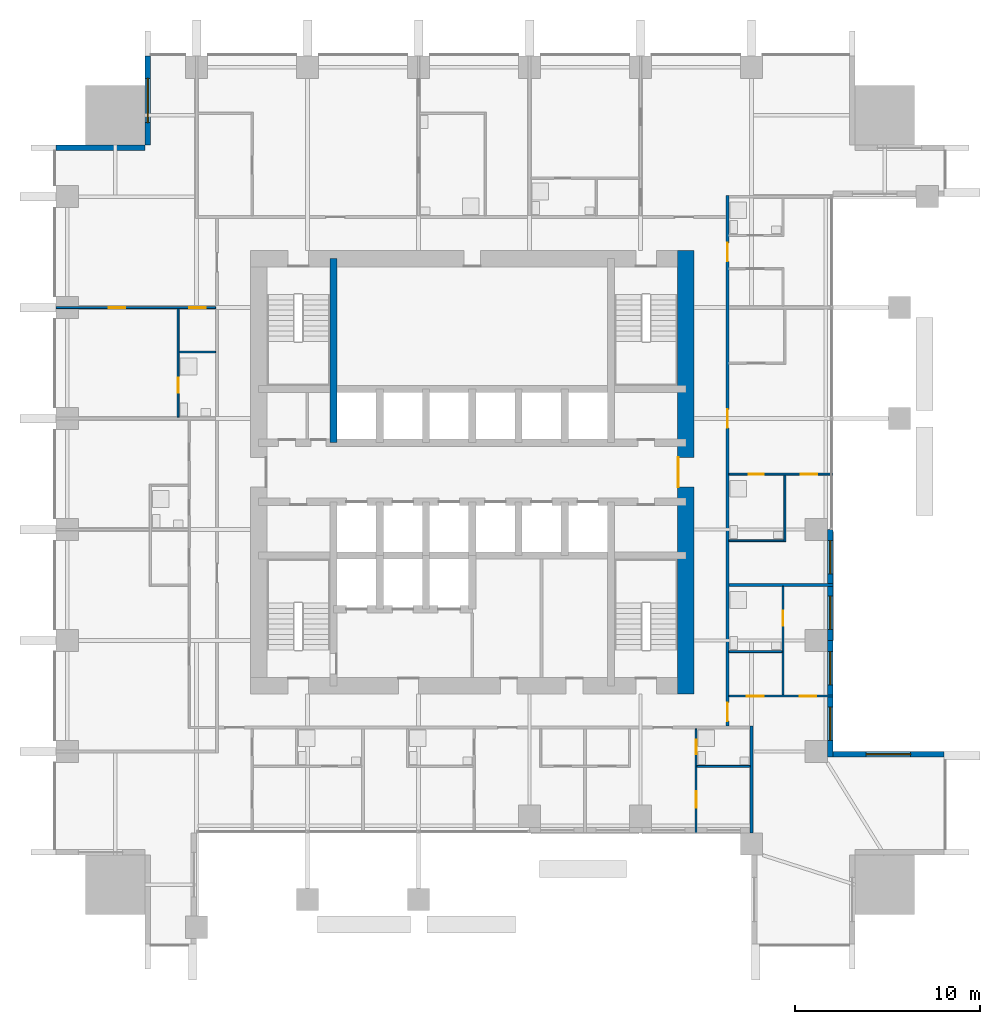
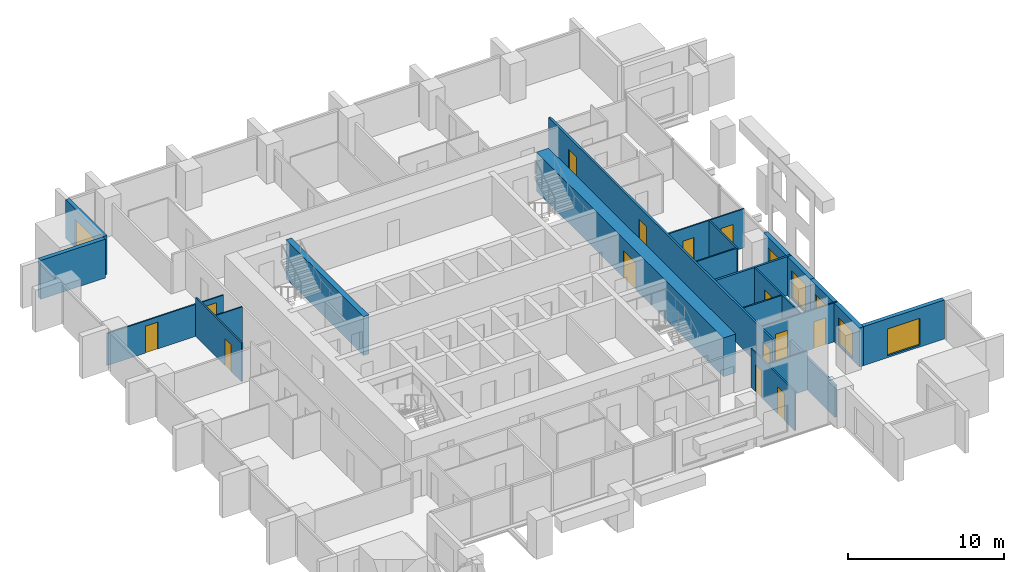
# One storey, part 9 of 13: 21 walls, 14 doors, 6 windows, 20 openings.
"""IFC4 building model written with IfcOpenShell, lengths in metres."""

from ifc_helpers import new_model, si_unit, direction, frame, frame_2d, origin, place, context, subcontext, project, spatial, rectangle, extrude, material, layer, layer_set, type_object, element, fill, save


model = new_model("IFC4")

# Units and contexts
model_context = context("Model", 3, precision=1e-05, world=origin(), true_north=direction((0.0, 1.0)))
body_context = subcontext(model_context, "Body", "Model", "MODEL_VIEW")
ifc_project = project(units=[si_unit("LENGTHUNIT", "METRE"), si_unit("AREAUNIT", "SQUARE_METRE"), si_unit("VOLUMEUNIT", "CUBIC_METRE"), si_unit("PLANEANGLEUNIT", "RADIAN"), si_unit("MASSUNIT", "GRAM", prefix="KILO")], contexts=[model_context])

# Site, building, storey
site_placement = place(None, origin())
site = spatial("IfcSite", under=ifc_project, at=site_placement, CompositionType="ELEMENT")
building_placement = place(site_placement, origin())
building = spatial("IfcBuilding", under=site, at=building_placement, Name="Amberfall Residences", CompositionType="ELEMENT")
storey_placement = place(building_placement, frame((0.0, 0.0, 56.5)))
storey = spatial("IfcBuildingStorey", under=building, at=storey_placement, Name="L15", CompositionType="ELEMENT", Elevation=56.5)

# Wall, opening, window
ifc_material_1 = material(Name="Pale stone cladding on insulated backing", Category="masonry")
ifc_layer_1 = layer(ifc_material_1, 0.300048828125)
ifc_layer_set_1 = layer_set([ifc_layer_1], Name="Bronze clad wall 300")
wall_type_1 = type_object("IfcWallType", Name="Bronze clad wall 300", PredefinedType="SOLIDWALL", material=ifc_layer_set_1)
wall_1_placement = place(storey_placement, frame((100.0, 30.25, 0.0), z_axis=(0.0, 0.0, 1.0), x_axis=(-1.0, 0.0, 0.0)))
wall_1 = element("IfcWall", 1, at=wall_1_placement, inside=storey, type_object=wall_type_1, Name="External wall L15 E", PredefinedType="SOLIDWALL", context=body_context, shape_type="SweptSolid", body=[
    extrude(rectangle(XDim=6.0, YDim=0.300048828125, at=frame_2d((3.0, 0.0))), origin(), (0.0, 0.0, 1.0), 3.050048828125),
])
opening_1_placement = place(wall_1_placement, frame((1.800048828125, 0.0, 0.14990234375)))
opening_1 = element("IfcOpeningElement", 2, at=opening_1_placement, cuts=wall_1, Name="Opening WN5", PredefinedType="OPENING", context=body_context, shape_type="SweptSolid", body=[
    extrude(rectangle(XDim=2.39990234375, YDim=2.10009765625, at=frame_2d((1.199951171875, 1.050048828125))), frame((0.0, 0.159912109375, 0.0), z_axis=(0.0, -1.0, 0.0), x_axis=(1.0, 0.0, 0.0)), (0.0, 0.0, 1.0), 0.320068359375),
])
ifc_material_2 = material(Name="Bronze aluminium framed glazing", Category="aluminium")
window_type_1 = type_object("IfcWindowType", Name="Glazed opening 2400 x 2100 bronze", PartitioningType="DOUBLE_PANEL_VERTICAL", PredefinedType="WINDOW", material=ifc_material_2)
window_1_placement = place(opening_1_placement, origin())
window_1 = element("IfcWindow", 3, at=window_1_placement, inside=storey, type_object=window_type_1, Name="Window L15 E", OverallHeight=2.10009765625, OverallWidth=2.39990234375, PartitioningType="DOUBLE_PANEL_VERTICAL", PredefinedType="WINDOW", context=body_context, shape_type="SweptSolid", body=[
    extrude(rectangle(XDim=2.39990234375, YDim=2.10009765625, at=frame_2d((1.199951171875, 1.050048828125))), frame((0.0, 0.030029296875, 0.0), z_axis=(0.0, -1.0, 0.0), x_axis=(1.0, 0.0, 0.0)), (0.0, 0.0, 1.0), 0.06005859375),
])
fill(opening_1, window_1)

wall_2_placement = place(storey_placement, frame((56.949951171875, 68.0, 0.0), z_axis=(0.0, 0.0, 1.0), x_axis=(0.0, -1.0, 0.0)))
wall_2 = element("IfcWall", 4, at=wall_2_placement, inside=storey, type_object=wall_type_1, Name="External wall L15 NW", PredefinedType="SOLIDWALL", context=body_context, shape_type="SweptSolid", body=[
    extrude(rectangle(XDim=4.800048828125, YDim=0.300048828125, at=frame_2d((2.39990234375, 0.0))), origin(), (0.0, 0.0, 1.0), 3.050048828125),
])
opening_2_placement = place(wall_2_placement, frame((1.199951171875, 0.0, 0.14990234375)))
opening_2 = element("IfcOpeningElement", 5, at=opening_2_placement, cuts=wall_2, Name="Opening WN5", PredefinedType="OPENING", context=body_context, shape_type="SweptSolid", body=[
    extrude(rectangle(XDim=2.39990234375, YDim=2.10009765625, at=frame_2d((1.199951171875, 1.050048828125))), frame((0.0, 0.159912109375, 0.0), z_axis=(0.0, -1.0, 0.0), x_axis=(1.0, 0.0, 0.0)), (0.0, 0.0, 1.0), 0.320068359375),
])
window_2_placement = place(opening_2_placement, origin())
window_2 = element("IfcWindow", 6, at=window_2_placement, inside=storey, type_object=window_type_1, Name="Window L15 NW", OverallHeight=2.10009765625, OverallWidth=2.39990234375, PartitioningType="DOUBLE_PANEL_VERTICAL", PredefinedType="WINDOW", context=body_context, shape_type="SweptSolid", body=[
    extrude(rectangle(XDim=2.39990234375, YDim=2.10009765625, at=frame_2d((1.199951171875, 1.050048828125))), frame((0.0, 0.030029296875, 0.0), z_axis=(0.0, -1.0, 0.0), x_axis=(1.0, 0.0, 0.0)), (0.0, 0.0, 1.0), 0.06005859375),
])
fill(opening_2, window_2)

# Wall
wall_3_placement = place(storey_placement, frame((56.800048828125, 63.050048828125, 0.0), z_axis=(0.0, 0.0, 1.0), x_axis=(-1.0, 0.0, 0.0)))
element("IfcWall", 7, at=wall_3_placement, inside=storey, type_object=wall_type_1, Name="External wall L15 NW", PredefinedType="SOLIDWALL", context=body_context, shape_type="SweptSolid", body=[
    extrude(rectangle(XDim=4.800048828125, YDim=0.300048828125, at=frame_2d((2.39990234375, 0.0))), origin(), (0.0, 0.0, 1.0), 3.050048828125),
])

# Wall, openings, windows
wall_4_placement = place(storey_placement, frame((93.85009765625, 30.10009765625, 0.0), z_axis=(0.0, 0.0, 1.0), x_axis=(0.0, 1.0, 0.0)))
wall_4 = element("IfcWall", 8, at=wall_4_placement, inside=storey, type_object=wall_type_1, Name="Stone wall L15 E", PredefinedType="SOLIDWALL", context=body_context, shape_type="SweptSolid", body=[
    extrude(rectangle(XDim=6.2998046875, YDim=0.300048828125, at=frame_2d((3.14990234375, 0.0))), origin(), (0.0, 0.0, 1.0), 3.050048828125),
])
opening_3_placement = place(wall_4_placement, frame((0.89990234375, 0.0, 0.14990234375)))
opening_3 = element("IfcOpeningElement", 9, at=opening_3_placement, cuts=wall_4, Name="Opening WN6", PredefinedType="OPENING", context=body_context, shape_type="SweptSolid", body=[
    extrude(rectangle(XDim=1.800048828125, YDim=2.10009765625, at=frame_2d((0.89990234375, 1.050048828125))), frame((0.0, 0.159912109375, 0.0), z_axis=(0.0, -1.0, 0.0), x_axis=(1.0, 0.0, 0.0)), (0.0, 0.0, 1.0), 0.320068359375),
])
opening_4_placement = place(wall_4_placement, frame((3.89990234375, 0.0, 0.14990234375)))
opening_4 = element("IfcOpeningElement", 10, at=opening_4_placement, cuts=wall_4, Name="Opening WN6", PredefinedType="OPENING", context=body_context, shape_type="SweptSolid", body=[
    extrude(rectangle(XDim=1.800048828125, YDim=2.10009765625, at=frame_2d((0.89990234375, 1.050048828125))), frame((0.0, 0.159912109375, 0.0), z_axis=(0.0, -1.0, 0.0), x_axis=(1.0, 0.0, 0.0)), (0.0, 0.0, 1.0), 0.320068359375),
])
window_type_2 = type_object("IfcWindowType", Name="Glazed opening 1800 x 2100 bronze", PartitioningType="DOUBLE_PANEL_VERTICAL", PredefinedType="WINDOW", material=ifc_material_2)
window_3_placement = place(opening_3_placement, origin())
window_3 = element("IfcWindow", 11, at=window_3_placement, inside=storey, type_object=window_type_2, Name="Window L15 E", OverallHeight=2.10009765625, OverallWidth=1.800048828125, PartitioningType="DOUBLE_PANEL_VERTICAL", PredefinedType="WINDOW", context=body_context, shape_type="SweptSolid", body=[
    extrude(rectangle(XDim=1.800048828125, YDim=2.10009765625, at=frame_2d((0.89990234375, 1.050048828125))), frame((0.0, 0.030029296875, 0.0), z_axis=(0.0, -1.0, 0.0), x_axis=(1.0, 0.0, 0.0)), (0.0, 0.0, 1.0), 0.06005859375),
])
fill(opening_3, window_3)
window_4_placement = place(opening_4_placement, origin())
window_4 = element("IfcWindow", 12, at=window_4_placement, inside=storey, type_object=window_type_2, Name="Window L15 E", OverallHeight=2.10009765625, OverallWidth=1.800048828125, PartitioningType="DOUBLE_PANEL_VERTICAL", PredefinedType="WINDOW", context=body_context, shape_type="SweptSolid", body=[
    extrude(rectangle(XDim=1.800048828125, YDim=2.10009765625, at=frame_2d((0.89990234375, 1.050048828125))), frame((0.0, 0.030029296875, 0.0), z_axis=(0.0, -1.0, 0.0), x_axis=(1.0, 0.0, 0.0)), (0.0, 0.0, 1.0), 0.06005859375),
])
fill(opening_4, window_4)

wall_5_placement = place(storey_placement, frame((93.85009765625, 36.39990234375, 0.0), z_axis=(0.0, 0.0, 1.0), x_axis=(0.0, 1.0, 0.0)))
wall_5 = element("IfcWall", 13, at=wall_5_placement, inside=storey, type_object=wall_type_1, Name="Stone wall L15 E", PredefinedType="SOLIDWALL", context=body_context, shape_type="SweptSolid", body=[
    extrude(rectangle(XDim=6.0, YDim=0.300048828125, at=frame_2d((3.0, 0.0))), origin(), (0.0, 0.0, 1.0), 3.050048828125),
])
opening_5_placement = place(wall_5_placement, frame((0.60009765625, 0.0, 0.14990234375)))
opening_5 = element("IfcOpeningElement", 14, at=opening_5_placement, cuts=wall_5, Name="Opening WN6", PredefinedType="OPENING", context=body_context, shape_type="SweptSolid", body=[
    extrude(rectangle(XDim=1.800048828125, YDim=2.10009765625, at=frame_2d((0.89990234375, 1.050048828125))), frame((0.0, 0.159912109375, 0.0), z_axis=(0.0, -1.0, 0.0), x_axis=(1.0, 0.0, 0.0)), (0.0, 0.0, 1.0), 0.320068359375),
])
opening_6_placement = place(wall_5_placement, frame((3.60009765625, 0.0, 0.14990234375)))
opening_6 = element("IfcOpeningElement", 15, at=opening_6_placement, cuts=wall_5, Name="Opening WN6", PredefinedType="OPENING", context=body_context, shape_type="SweptSolid", body=[
    extrude(rectangle(XDim=1.800048828125, YDim=2.10009765625, at=frame_2d((0.89990234375, 1.050048828125))), frame((0.0, 0.159912109375, 0.0), z_axis=(0.0, -1.0, 0.0), x_axis=(1.0, 0.0, 0.0)), (0.0, 0.0, 1.0), 0.320068359375),
])
window_5_placement = place(opening_5_placement, origin())
window_5 = element("IfcWindow", 16, at=window_5_placement, inside=storey, type_object=window_type_2, Name="Window L15 E", OverallHeight=2.10009765625, OverallWidth=1.800048828125, PartitioningType="DOUBLE_PANEL_VERTICAL", PredefinedType="WINDOW", context=body_context, shape_type="SweptSolid", body=[
    extrude(rectangle(XDim=1.800048828125, YDim=2.10009765625, at=frame_2d((0.89990234375, 1.050048828125))), frame((0.0, 0.030029296875, 0.0), z_axis=(0.0, -1.0, 0.0), x_axis=(1.0, 0.0, 0.0)), (0.0, 0.0, 1.0), 0.06005859375),
])
fill(opening_5, window_5)
window_6_placement = place(opening_6_placement, origin())
window_6 = element("IfcWindow", 17, at=window_6_placement, inside=storey, type_object=window_type_2, Name="Window L15 E", OverallHeight=2.10009765625, OverallWidth=1.800048828125, PartitioningType="DOUBLE_PANEL_VERTICAL", PredefinedType="WINDOW", context=body_context, shape_type="SweptSolid", body=[
    extrude(rectangle(XDim=1.800048828125, YDim=2.10009765625, at=frame_2d((0.89990234375, 1.050048828125))), frame((0.0, 0.030029296875, 0.0), z_axis=(0.0, -1.0, 0.0), x_axis=(1.0, 0.0, 0.0)), (0.0, 0.0, 1.0), 0.06005859375),
])
fill(opening_6, window_6)

# Wall
ifc_material_3 = material(Name="Concrete C80", Category="concrete")
ifc_layer_2 = layer(ifc_material_3, 0.39990234375)
ifc_layer_set_2 = layer_set([ifc_layer_2], Name="Core wall 400 C80")
wall_type_2 = type_object("IfcWallType", Name="Core wall 400 C80", PredefinedType="SHEAR", material=ifc_layer_set_2)
wall_6_placement = place(storey_placement, frame((67.0, 47.10009765625, 0.0), z_axis=(0.0, 0.0, 1.0), x_axis=(0.0, 1.0, 0.0)))
element("IfcWall", 18, at=wall_6_placement, inside=storey, type_object=wall_type_2, Name="Core wall RW2 L15 V45N", PredefinedType="SHEAR", context=body_context, shape_type="SweptSolid", body=[
    extrude(rectangle(XDim=9.949951171875, YDim=0.39990234375, at=frame_2d((4.97509765625, 0.0))), origin(), (0.0, 0.0, 1.0), 3.050048828125),
])

# Wall, opening, door
ifc_layer_3 = layer(ifc_material_3, 0.89990234375)
ifc_layer_set_3 = layer_set([ifc_layer_3], Name="Core wall 900 C80")
wall_type_3 = type_object("IfcWallType", Name="Core wall 900 C80", PredefinedType="SHEAR", material=ifc_layer_set_3)
wall_7_placement = place(storey_placement, frame((86.050048828125, 33.5, 0.0), z_axis=(0.0, 0.0, 1.0), x_axis=(0.0, 1.0, 0.0)))
wall_7 = element("IfcWall", 19, at=wall_7_placement, inside=storey, type_object=wall_type_3, Name="Core wall RW1 L15 OE", PredefinedType="SHEAR", context=body_context, shape_type="SweptSolid", body=[
    extrude(rectangle(XDim=24.0, YDim=0.89990234375, at=frame_2d((12.0, 0.0))), origin(), (0.0, 0.0, 1.0), 3.050048828125),
])
opening_7_placement = place(wall_7_placement, frame((11.199951171875, 0.0, 0.0)))
opening_7 = element("IfcOpeningElement", 20, at=opening_7_placement, cuts=wall_7, Name="Opening LB1", PredefinedType="OPENING", context=body_context, shape_type="SweptSolid", body=[
    extrude(rectangle(XDim=1.60009765625, YDim=2.10009765625, at=frame_2d((0.800048828125, 1.050048828125))), frame((0.0, 0.4599609375, 0.0), z_axis=(0.0, -1.0, 0.0), x_axis=(1.0, 0.0, 0.0)), (0.0, 0.0, 1.0), 0.919921875),
])
ifc_material_4 = material(Name="Steel fire door set", Category="steel")
door_type_1 = type_object("IfcDoorType", Name="Lift lobby double door 1600 x 2100", OperationType="DOUBLE_DOOR_SINGLE_SWING", PredefinedType="DOOR", material=ifc_material_4)
door_1_placement = place(opening_7_placement, origin())
door_1 = element("IfcDoor", 21, at=door_1_placement, inside=storey, type_object=door_type_1, Name="LB1 L15", OperationType="DOUBLE_DOOR_SINGLE_SWING", OverallHeight=2.10009765625, OverallWidth=1.60009765625, PredefinedType="DOOR", context=body_context, shape_type="SweptSolid", body=[
    extrude(rectangle(XDim=1.60009765625, YDim=2.10009765625, at=frame_2d((0.800048828125, 1.050048828125))), frame((0.0, 0.4375, 0.0), z_axis=(0.0, -1.0, 0.0), x_axis=(1.0, 0.0, 0.0)), (0.0, 0.0, 1.0), 0.050048828125),
])
fill(opening_7, door_1)

ifc_material_5 = material(Name="Gypsum board on metal stud")
ifc_layer_4 = layer(ifc_material_5, 0.10009765625)
ifc_layer_set_4 = layer_set([ifc_layer_4], Name="Flat partition 100")
wall_type_4 = type_object("IfcWallType", Name="Flat partition 100", PredefinedType="PARTITIONING", material=ifc_layer_set_4)
wall_8_placement = place(storey_placement, frame((58.60009765625, 54.35009765625, 0.0), z_axis=(0.0, 0.0, 1.0), x_axis=(0.0, -1.0, 0.0)))
wall_8 = element("IfcWall", 22, at=wall_8_placement, inside=storey, type_object=wall_type_4, Name="Partition 002", PredefinedType="PARTITIONING", context=body_context, shape_type="SweptSolid", body=[
    extrude(rectangle(XDim=5.875, YDim=0.10009765625, at=frame_2d((2.9375, 0.0))), origin(), (0.0, 0.0, 1.0), 3.050048828125),
])
opening_8_placement = place(wall_8_placement, frame((3.75, 0.0, 0.0)))
opening_8 = element("IfcOpeningElement", 23, at=opening_8_placement, cuts=wall_8, Name="Opening D42", PredefinedType="OPENING", context=body_context, shape_type="SweptSolid", body=[
    extrude(rectangle(XDim=0.800048828125, YDim=2.10009765625, at=frame_2d((0.39990234375, 1.050048828125))), frame((0.0, 0.06005859375, 0.0), z_axis=(0.0, -1.0, 0.0), x_axis=(1.0, 0.0, 0.0)), (0.0, 0.0, 1.0), 0.1201171875),
])
ifc_material_6 = material(Name="Timber", Category="wood")
door_type_2 = type_object("IfcDoorType", Name="Bathroom door 800 x 2100", OperationType="SINGLE_SWING_LEFT", PredefinedType="DOOR", material=ifc_material_6)
door_2_placement = place(opening_8_placement, origin())
door_2 = element("IfcDoor", 24, at=door_2_placement, inside=storey, type_object=door_type_2, Name="Door 1510 bath1", OperationType="SINGLE_SWING_LEFT", OverallHeight=2.10009765625, OverallWidth=0.800048828125, PredefinedType="DOOR", context=body_context, shape_type="SweptSolid", body=[
    extrude(rectangle(XDim=0.800048828125, YDim=2.10009765625, at=frame_2d((0.39990234375, 1.050048828125))), frame((0.0, 0.02490234375, 0.0), z_axis=(0.0, -1.0, 0.0), x_axis=(1.0, 0.0, 0.0)), (0.0, 0.0, 1.0), 0.050048828125),
])
fill(opening_8, door_2)

# Wall, openings, doors
wall_9_placement = place(storey_placement, frame((86.60009765625, 31.625, 0.0), z_axis=(0.0, 0.0, 1.0), x_axis=(0.0, -1.0, 0.0)))
wall_9 = element("IfcWall", 25, at=wall_9_placement, inside=storey, type_object=wall_type_4, Name="Partition 015", PredefinedType="PARTITIONING", context=body_context, shape_type="SweptSolid", body=[
    extrude(rectangle(XDim=5.625, YDim=0.10009765625, at=frame_2d((2.8125, 0.0))), origin(), (0.0, 0.0, 1.0), 3.050048828125),
])
opening_9_placement = place(wall_9_placement, frame((3.375, 0.0, 0.0)))
opening_9 = element("IfcOpeningElement", 26, at=opening_9_placement, cuts=wall_9, Name="Opening D41", PredefinedType="OPENING", context=body_context, shape_type="SweptSolid", body=[
    extrude(rectangle(XDim=0.89990234375, YDim=2.10009765625, at=frame_2d((0.449951171875, 1.050048828125))), frame((0.0, 0.06005859375, 0.0), z_axis=(0.0, -1.0, 0.0), x_axis=(1.0, 0.0, 0.0)), (0.0, 0.0, 1.0), 0.1201171875),
])
opening_10_placement = place(wall_9_placement, frame((0.574951171875, 0.0, 0.0)))
opening_10 = element("IfcOpeningElement", 27, at=opening_10_placement, cuts=wall_9, Name="Opening D42", PredefinedType="OPENING", context=body_context, shape_type="SweptSolid", body=[
    extrude(rectangle(XDim=0.800048828125, YDim=2.10009765625, at=frame_2d((0.39990234375, 1.050048828125))), frame((0.0, 0.06005859375, 0.0), z_axis=(0.0, -1.0, 0.0), x_axis=(1.0, 0.0, 0.0)), (0.0, 0.0, 1.0), 0.1201171875),
])
door_3_placement = place(opening_10_placement, origin())
door_3 = element("IfcDoor", 28, at=door_3_placement, inside=storey, type_object=door_type_2, Name="Door 1503 bath1", OperationType="SINGLE_SWING_LEFT", OverallHeight=2.10009765625, OverallWidth=0.800048828125, PredefinedType="DOOR", context=body_context, shape_type="SweptSolid", body=[
    extrude(rectangle(XDim=0.800048828125, YDim=2.10009765625, at=frame_2d((0.39990234375, 1.050048828125))), frame((0.0, 0.02490234375, 0.0), z_axis=(0.0, -1.0, 0.0), x_axis=(1.0, 0.0, 0.0)), (0.0, 0.0, 1.0), 0.050048828125),
])
fill(opening_10, door_3)
door_type_3 = type_object("IfcDoorType", Name="Internal door 900 x 2100", OperationType="SINGLE_SWING_LEFT", PredefinedType="DOOR", material=ifc_material_6)
door_4_placement = place(opening_9_placement, origin())
door_4 = element("IfcDoor", 29, at=door_4_placement, inside=storey, type_object=door_type_3, Name="Door 1503 bedroom1", OperationType="SINGLE_SWING_LEFT", OverallHeight=2.10009765625, OverallWidth=0.89990234375, PredefinedType="DOOR", context=body_context, shape_type="SweptSolid", body=[
    extrude(rectangle(XDim=0.89990234375, YDim=2.10009765625, at=frame_2d((0.449951171875, 1.050048828125))), frame((0.0, 0.02490234375, 0.0), z_axis=(0.0, -1.0, 0.0), x_axis=(1.0, 0.0, 0.0)), (0.0, 0.0, 1.0), 0.050048828125),
])
fill(opening_9, door_4)

# Wall, opening, door
wall_10_placement = place(storey_placement, frame((91.300048828125, 33.449951171875, 0.0), z_axis=(0.0, 0.0, 1.0), x_axis=(0.0, 1.0, 0.0)))
wall_10 = element("IfcWall", 30, at=wall_10_placement, inside=storey, type_object=wall_type_4, Name="Partition 016", PredefinedType="PARTITIONING", context=body_context, shape_type="SweptSolid", body=[
    extrude(rectangle(XDim=5.875, YDim=0.10009765625, at=frame_2d((2.9375, 0.0))), origin(), (0.0, 0.0, 1.0), 3.050048828125),
])
opening_11_placement = place(wall_10_placement, frame((3.75, 0.0, 0.0)))
opening_11 = element("IfcOpeningElement", 31, at=opening_11_placement, cuts=wall_10, Name="Opening D42", PredefinedType="OPENING", context=body_context, shape_type="SweptSolid", body=[
    extrude(rectangle(XDim=0.800048828125, YDim=2.10009765625, at=frame_2d((0.39990234375, 1.050048828125))), frame((0.0, 0.06005859375, 0.0), z_axis=(0.0, -1.0, 0.0), x_axis=(1.0, 0.0, 0.0)), (0.0, 0.0, 1.0), 0.1201171875),
])
door_5_placement = place(opening_11_placement, origin())
door_5 = element("IfcDoor", 32, at=door_5_placement, inside=storey, type_object=door_type_2, Name="Door 1504 bath1", OperationType="SINGLE_SWING_LEFT", OverallHeight=2.10009765625, OverallWidth=0.800048828125, PredefinedType="DOOR", context=body_context, shape_type="SweptSolid", body=[
    extrude(rectangle(XDim=0.800048828125, YDim=2.10009765625, at=frame_2d((0.39990234375, 1.050048828125))), frame((0.0, 0.02490234375, 0.0), z_axis=(0.0, -1.0, 0.0), x_axis=(1.0, 0.0, 0.0)), (0.0, 0.0, 1.0), 0.050048828125),
])
fill(opening_11, door_5)

# Wall
wall_11_placement = place(storey_placement, frame((91.39990234375, 41.75, 0.0), z_axis=(0.0, 0.0, 1.0), x_axis=(0.0, 1.0, 0.0)))
element("IfcWall", 33, at=wall_11_placement, inside=storey, type_object=wall_type_4, Name="Partition 019", PredefinedType="PARTITIONING", context=body_context, shape_type="SweptSolid", body=[
    extrude(rectangle(XDim=3.60009765625, YDim=0.10009765625, at=frame_2d((1.800048828125, 0.0))), origin(), (0.0, 0.0, 1.0), 3.050048828125),
])

# Wall, openings, doors
wall_12_placement = place(storey_placement, frame((60.625, 54.39990234375, 0.0), z_axis=(0.0, 0.0, 1.0), x_axis=(-1.0, 0.0, 0.0)))
wall_12 = element("IfcWall", 34, at=wall_12_placement, inside=storey, type_object=wall_type_4, Name="Partition 026", PredefinedType="PARTITIONING", context=body_context, shape_type="SweptSolid", body=[
    extrude(rectangle(XDim=8.625, YDim=0.10009765625, at=frame_2d((4.3125, 0.0))), origin(), (0.0, 0.0, 1.0), 2.51611328125),
])
opening_12_placement = place(wall_12_placement, frame((0.52490234375, 0.0, 0.0)))
opening_12 = element("IfcOpeningElement", 35, at=opening_12_placement, cuts=wall_12, Name="Opening D41", PredefinedType="OPENING", context=body_context, shape_type="SweptSolid", body=[
    extrude(rectangle(XDim=0.89990234375, YDim=2.10009765625, at=frame_2d((0.449951171875, 1.050048828125))), frame((0.0, 0.06005859375, 0.0), z_axis=(0.0, -1.0, 0.0), x_axis=(1.0, 0.0, 0.0)), (0.0, 0.0, 1.0), 0.1201171875),
])
opening_13_placement = place(wall_12_placement, frame((4.875, 0.0, 0.0)))
opening_13 = element("IfcOpeningElement", 36, at=opening_13_placement, cuts=wall_12, Name="Opening D41", PredefinedType="OPENING", context=body_context, shape_type="SweptSolid", body=[
    extrude(rectangle(XDim=0.89990234375, YDim=2.10009765625, at=frame_2d((0.449951171875, 1.050048828125))), frame((0.0, 0.06005859375, 0.0), z_axis=(0.0, -1.0, 0.0), x_axis=(1.0, 0.0, 0.0)), (0.0, 0.0, 1.0), 0.1201171875),
])
door_6_placement = place(opening_12_placement, origin())
door_6 = element("IfcDoor", 37, at=door_6_placement, inside=storey, type_object=door_type_3, Name="Door 1510 kitchen", OperationType="SINGLE_SWING_LEFT", OverallHeight=2.10009765625, OverallWidth=0.89990234375, PredefinedType="DOOR", context=body_context, shape_type="SweptSolid", body=[
    extrude(rectangle(XDim=0.89990234375, YDim=2.10009765625, at=frame_2d((0.449951171875, 1.050048828125))), frame((0.0, 0.02490234375, 0.0), z_axis=(0.0, -1.0, 0.0), x_axis=(1.0, 0.0, 0.0)), (0.0, 0.0, 1.0), 0.050048828125),
])
fill(opening_12, door_6)
door_7_placement = place(opening_13_placement, origin())
door_7 = element("IfcDoor", 38, at=door_7_placement, inside=storey, type_object=door_type_3, Name="Door 1510 bedroom1", OperationType="SINGLE_SWING_LEFT", OverallHeight=2.10009765625, OverallWidth=0.89990234375, PredefinedType="DOOR", context=body_context, shape_type="SweptSolid", body=[
    extrude(rectangle(XDim=0.89990234375, YDim=2.10009765625, at=frame_2d((0.449951171875, 1.050048828125))), frame((0.0, 0.02490234375, 0.0), z_axis=(0.0, -1.0, 0.0), x_axis=(1.0, 0.0, 0.0)), (0.0, 0.0, 1.0), 0.050048828125),
])
fill(opening_13, door_7)

# Wall
wall_13_placement = place(storey_placement, frame((58.64990234375, 52.0, 0.0), z_axis=(0.0, 0.0, 1.0), x_axis=(1.0, 0.0, 0.0)))
element("IfcWall", 39, at=wall_13_placement, inside=storey, type_object=wall_type_4, Name="Partition 027", PredefinedType="PARTITIONING", context=body_context, shape_type="SweptSolid", body=[
    extrude(rectangle(XDim=1.97509765625, YDim=0.10009765625, at=frame_2d((0.987548828125, 0.0))), origin(), (0.0, 0.0, 1.0), 3.050048828125),
])

# Wall, openings, doors
wall_14_placement = place(storey_placement, frame((94.0, 45.39990234375, 0.0), z_axis=(0.0, 0.0, 1.0), x_axis=(-1.0, 0.0, 0.0)))
wall_14 = element("IfcWall", 40, at=wall_14_placement, inside=storey, type_object=wall_type_4, Name="Partition 029", PredefinedType="PARTITIONING", context=body_context, shape_type="SweptSolid", body=[
    extrude(rectangle(XDim=5.625, YDim=0.10009765625, at=frame_2d((2.8125, 0.0))), origin(), (0.0, 0.0, 1.0), 3.050048828125),
])
opening_14_placement = place(wall_14_placement, frame((0.85009765625, 0.0, 0.0)))
opening_14 = element("IfcOpeningElement", 41, at=opening_14_placement, cuts=wall_14, Name="Opening D41", PredefinedType="OPENING", context=body_context, shape_type="SweptSolid", body=[
    extrude(rectangle(XDim=0.89990234375, YDim=2.10009765625, at=frame_2d((0.449951171875, 1.050048828125))), frame((0.0, 0.06005859375, 0.0), z_axis=(0.0, -1.0, 0.0), x_axis=(1.0, 0.0, 0.0)), (0.0, 0.0, 1.0), 0.1201171875),
])
opening_15_placement = place(wall_14_placement, frame((3.75, 0.0, 0.0)))
opening_15 = element("IfcOpeningElement", 42, at=opening_15_placement, cuts=wall_14, Name="Opening D42", PredefinedType="OPENING", context=body_context, shape_type="SweptSolid", body=[
    extrude(rectangle(XDim=0.800048828125, YDim=2.10009765625, at=frame_2d((0.39990234375, 1.050048828125))), frame((0.0, 0.06005859375, 0.0), z_axis=(0.0, -1.0, 0.0), x_axis=(1.0, 0.0, 0.0)), (0.0, 0.0, 1.0), 0.1201171875),
])
door_8_placement = place(opening_15_placement, origin())
door_8 = element("IfcDoor", 43, at=door_8_placement, inside=storey, type_object=door_type_2, Name="Door 1505 bath1", OperationType="SINGLE_SWING_LEFT", OverallHeight=2.10009765625, OverallWidth=0.800048828125, PredefinedType="DOOR", context=body_context, shape_type="SweptSolid", body=[
    extrude(rectangle(XDim=0.800048828125, YDim=2.10009765625, at=frame_2d((0.39990234375, 1.050048828125))), frame((0.0, 0.02490234375, 0.0), z_axis=(0.0, -1.0, 0.0), x_axis=(1.0, 0.0, 0.0)), (0.0, 0.0, 1.0), 0.050048828125),
])
fill(opening_15, door_8)
door_9_placement = place(opening_14_placement, origin())
door_9 = element("IfcDoor", 44, at=door_9_placement, inside=storey, type_object=door_type_3, Name="Door 1505 bedroom1", OperationType="SINGLE_SWING_LEFT", OverallHeight=2.10009765625, OverallWidth=0.89990234375, PredefinedType="DOOR", context=body_context, shape_type="SweptSolid", body=[
    extrude(rectangle(XDim=0.89990234375, YDim=2.10009765625, at=frame_2d((0.449951171875, 1.050048828125))), frame((0.0, 0.02490234375, 0.0), z_axis=(0.0, -1.0, 0.0), x_axis=(1.0, 0.0, 0.0)), (0.0, 0.0, 1.0), 0.050048828125),
])
fill(opening_14, door_9)

# Walls
wall_15_placement = place(storey_placement, frame((88.375, 41.800048828125, 0.0), z_axis=(0.0, 0.0, 1.0), x_axis=(1.0, 0.0, 0.0)))
element("IfcWall", 45, at=wall_15_placement, inside=storey, type_object=wall_type_4, Name="Partition 032", PredefinedType="PARTITIONING", context=body_context, shape_type="SweptSolid", body=[
    extrude(rectangle(XDim=2.97509765625, YDim=0.10009765625, at=frame_2d((1.487548828125, 0.0))), origin(), (0.0, 0.0, 1.0), 3.050048828125),
])
wall_16_placement = place(storey_placement, frame((88.375, 35.800048828125, 0.0), z_axis=(0.0, 0.0, 1.0), x_axis=(1.0, 0.0, 0.0)))
element("IfcWall", 46, at=wall_16_placement, inside=storey, type_object=wall_type_4, Name="Partition 034", PredefinedType="PARTITIONING", context=body_context, shape_type="SweptSolid", body=[
    extrude(rectangle(XDim=2.875, YDim=0.10009765625, at=frame_2d((1.4375, 0.0))), origin(), (0.0, 0.0, 1.0), 3.050048828125),
])

# Wall, openings, doors
wall_17_placement = place(storey_placement, frame((88.375, 33.39990234375, 0.0), z_axis=(0.0, 0.0, 1.0), x_axis=(1.0, 0.0, 0.0)))
wall_17 = element("IfcWall", 47, at=wall_17_placement, inside=storey, type_object=wall_type_4, Name="Partition 035", PredefinedType="PARTITIONING", context=body_context, shape_type="SweptSolid", body=[
    extrude(rectangle(XDim=5.625, YDim=0.10009765625, at=frame_2d((2.8125, 0.0))), origin(), (0.0, 0.0, 1.0), 3.050048828125),
])
opening_16_placement = place(wall_17_placement, frame((0.97509765625, 0.0, 0.0)))
opening_16 = element("IfcOpeningElement", 48, at=opening_16_placement, cuts=wall_17, Name="Opening D41", PredefinedType="OPENING", context=body_context, shape_type="SweptSolid", body=[
    extrude(rectangle(XDim=0.89990234375, YDim=2.10009765625, at=frame_2d((0.449951171875, 1.050048828125))), frame((0.0, 0.06005859375, 0.0), z_axis=(0.0, -1.0, 0.0), x_axis=(1.0, 0.0, 0.0)), (0.0, 0.0, 1.0), 0.1201171875),
])
opening_17_placement = place(wall_17_placement, frame((3.824951171875, 0.0, 0.0)))
opening_17 = element("IfcOpeningElement", 49, at=opening_17_placement, cuts=wall_17, Name="Opening D41", PredefinedType="OPENING", context=body_context, shape_type="SweptSolid", body=[
    extrude(rectangle(XDim=0.89990234375, YDim=2.10009765625, at=frame_2d((0.449951171875, 1.050048828125))), frame((0.0, 0.06005859375, 0.0), z_axis=(0.0, -1.0, 0.0), x_axis=(1.0, 0.0, 0.0)), (0.0, 0.0, 1.0), 0.1201171875),
])
door_10_placement = place(opening_16_placement, origin())
door_10 = element("IfcDoor", 50, at=door_10_placement, inside=storey, type_object=door_type_3, Name="Door 1504 kitchen", OperationType="SINGLE_SWING_LEFT", OverallHeight=2.10009765625, OverallWidth=0.89990234375, PredefinedType="DOOR", context=body_context, shape_type="SweptSolid", body=[
    extrude(rectangle(XDim=0.89990234375, YDim=2.10009765625, at=frame_2d((0.449951171875, 1.050048828125))), frame((0.0, 0.02490234375, 0.0), z_axis=(0.0, -1.0, 0.0), x_axis=(1.0, 0.0, 0.0)), (0.0, 0.0, 1.0), 0.050048828125),
])
fill(opening_16, door_10)
door_11_placement = place(opening_17_placement, origin())
door_11 = element("IfcDoor", 51, at=door_11_placement, inside=storey, type_object=door_type_3, Name="Door 1504 bedroom1", OperationType="SINGLE_SWING_LEFT", OverallHeight=2.10009765625, OverallWidth=0.89990234375, PredefinedType="DOOR", context=body_context, shape_type="SweptSolid", body=[
    extrude(rectangle(XDim=0.89990234375, YDim=2.10009765625, at=frame_2d((0.449951171875, 1.050048828125))), frame((0.0, 0.02490234375, 0.0), z_axis=(0.0, -1.0, 0.0), x_axis=(1.0, 0.0, 0.0)), (0.0, 0.0, 1.0), 0.050048828125),
])
fill(opening_17, door_11)

# Wall
wall_18_placement = place(storey_placement, frame((86.64990234375, 29.60009765625, 0.0), z_axis=(0.0, 0.0, 1.0), x_axis=(1.0, 0.0, 0.0)))
element("IfcWall", 52, at=wall_18_placement, inside=storey, type_object=wall_type_4, Name="Partition 040", PredefinedType="PARTITIONING", context=body_context, shape_type="SweptSolid", body=[
    extrude(rectangle(XDim=2.875, YDim=0.10009765625, at=frame_2d((1.4375, 0.0))), origin(), (0.0, 0.0, 1.0), 3.050048828125),
])

# Wall, openings, doors
ifc_material_7 = material(Name="Blockwork, plastered", Category="masonry")
ifc_layer_5 = layer(ifc_material_7, 0.14990234375)
ifc_layer_set_5 = layer_set([ifc_layer_5], Name="Flat separating wall 150")
wall_type_5 = type_object("IfcWallType", Name="Flat separating wall 150", PredefinedType="PARTITIONING", material=ifc_layer_set_5)
wall_19_placement = place(storey_placement, frame((88.300048828125, 60.47509765625, 0.0), z_axis=(0.0, 0.0, 1.0), x_axis=(0.0, -1.0, 0.0)))
wall_19 = element("IfcWall", 53, at=wall_19_placement, inside=storey, type_object=wall_type_5, Name="Separating wall 046", PredefinedType="PARTITIONING", context=body_context, shape_type="SweptSolid", body=[
    extrude(rectangle(XDim=28.7001953125, YDim=0.14990234375, at=frame_2d((14.35009765625, 0.0))), origin(), (0.0, 0.0, 1.0), 3.050048828125),
])
opening_18_placement = place(wall_19_placement, frame((27.425048828125, 0.0, 0.0)))
opening_18 = element("IfcOpeningElement", 54, at=opening_18_placement, cuts=wall_19, Name="Opening D40", PredefinedType="OPENING", context=body_context, shape_type="SweptSolid", body=[
    extrude(rectangle(XDim=1.0, YDim=2.10009765625, at=frame_2d((0.5, 1.050048828125))), frame((0.0, 0.0849609375, 0.0), z_axis=(0.0, -1.0, 0.0), x_axis=(1.0, 0.0, 0.0)), (0.0, 0.0, 1.0), 0.169921875),
])
opening_19_placement = place(wall_19_placement, frame((11.574951171875, 0.0, 0.0)))
opening_19 = element("IfcOpeningElement", 55, at=opening_19_placement, cuts=wall_19, Name="Opening D40", PredefinedType="OPENING", context=body_context, shape_type="SweptSolid", body=[
    extrude(rectangle(XDim=1.0, YDim=2.10009765625, at=frame_2d((0.5, 1.050048828125))), frame((0.0, 0.0849609375, 0.0), z_axis=(0.0, -1.0, 0.0), x_axis=(1.0, 0.0, 0.0)), (0.0, 0.0, 1.0), 0.169921875),
])
opening_20_placement = place(wall_19_placement, frame((2.574951171875, 0.0, 0.0)))
opening_20 = element("IfcOpeningElement", 56, at=opening_20_placement, cuts=wall_19, Name="Opening D40", PredefinedType="OPENING", context=body_context, shape_type="SweptSolid", body=[
    extrude(rectangle(XDim=1.0, YDim=2.10009765625, at=frame_2d((0.5, 1.050048828125))), frame((0.0, 0.0849609375, 0.0), z_axis=(0.0, -1.0, 0.0), x_axis=(1.0, 0.0, 0.0)), (0.0, 0.0, 1.0), 0.169921875),
])
ifc_material_8 = material(Name="Timber, fire-rated", Category="wood")
door_type_4 = type_object("IfcDoorType", Name="Flat entrance door FD60 1000 x 2100", OperationType="SINGLE_SWING_LEFT", PredefinedType="DOOR", material=ifc_material_8)
door_12_placement = place(opening_18_placement, origin())
door_12 = element("IfcDoor", 57, at=door_12_placement, inside=storey, type_object=door_type_4, Name="Door 1504 entrance", OperationType="SINGLE_SWING_LEFT", OverallHeight=2.10009765625, OverallWidth=1.0, PredefinedType="DOOR", context=body_context, shape_type="SweptSolid", body=[
    extrude(rectangle(XDim=1.0, YDim=2.10009765625, at=frame_2d((0.5, 1.050048828125))), frame((0.0, 0.02490234375, 0.0), z_axis=(0.0, -1.0, 0.0), x_axis=(1.0, 0.0, 0.0)), (0.0, 0.0, 1.0), 0.050048828125),
])
fill(opening_18, door_12)
door_13_placement = place(opening_19_placement, origin())
door_13 = element("IfcDoor", 58, at=door_13_placement, inside=storey, type_object=door_type_4, Name="Door 1505 entrance", OperationType="SINGLE_SWING_LEFT", OverallHeight=2.10009765625, OverallWidth=1.0, PredefinedType="DOOR", context=body_context, shape_type="SweptSolid", body=[
    extrude(rectangle(XDim=1.0, YDim=2.10009765625, at=frame_2d((0.5, 1.050048828125))), frame((0.0, 0.02490234375, 0.0), z_axis=(0.0, -1.0, 0.0), x_axis=(1.0, 0.0, 0.0)), (0.0, 0.0, 1.0), 0.050048828125),
])
fill(opening_19, door_13)
door_14_placement = place(opening_20_placement, origin())
door_14 = element("IfcDoor", 59, at=door_14_placement, inside=storey, type_object=door_type_4, Name="Door 1506 entrance", OperationType="SINGLE_SWING_LEFT", OverallHeight=2.10009765625, OverallWidth=1.0, PredefinedType="DOOR", context=body_context, shape_type="SweptSolid", body=[
    extrude(rectangle(XDim=1.0, YDim=2.10009765625, at=frame_2d((0.5, 1.050048828125))), frame((0.0, 0.02490234375, 0.0), z_axis=(0.0, -1.0, 0.0), x_axis=(1.0, 0.0, 0.0)), (0.0, 0.0, 1.0), 0.050048828125),
])
fill(opening_20, door_14)

# Walls
wall_20_placement = place(storey_placement, frame((89.60009765625, 26.0, 0.0), z_axis=(0.0, 0.0, 1.0), x_axis=(0.0, 1.0, 0.0)))
element("IfcWall", 60, at=wall_20_placement, inside=storey, type_object=wall_type_5, Name="Separating wall 047", PredefinedType="PARTITIONING", context=body_context, shape_type="SweptSolid", body=[
    extrude(rectangle(XDim=5.77490234375, YDim=0.14990234375, at=frame_2d((2.887451171875, 0.0))), origin(), (0.0, 0.0, 1.0), 2.51611328125),
])
wall_21_placement = place(storey_placement, frame((88.375, 39.39990234375, 0.0), z_axis=(0.0, 0.0, 1.0), x_axis=(1.0, 0.0, 0.0)))
element("IfcWall", 61, at=wall_21_placement, inside=storey, type_object=wall_type_5, Name="Separating wall 052", PredefinedType="PARTITIONING", context=body_context, shape_type="SweptSolid", body=[
    extrude(rectangle(XDim=5.625, YDim=0.14990234375, at=frame_2d((2.8125, 0.0))), origin(), (0.0, 0.0, 1.0), 3.050048828125),
])

save(model, "model.ifc")
